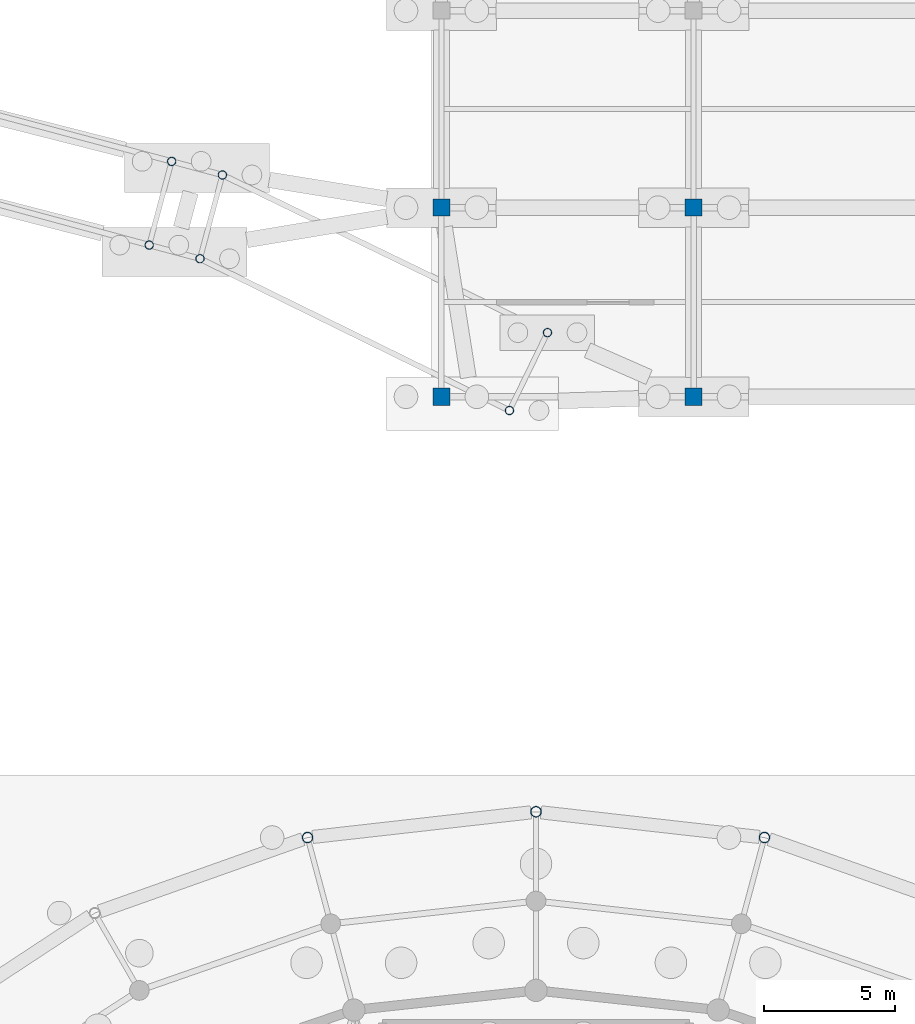
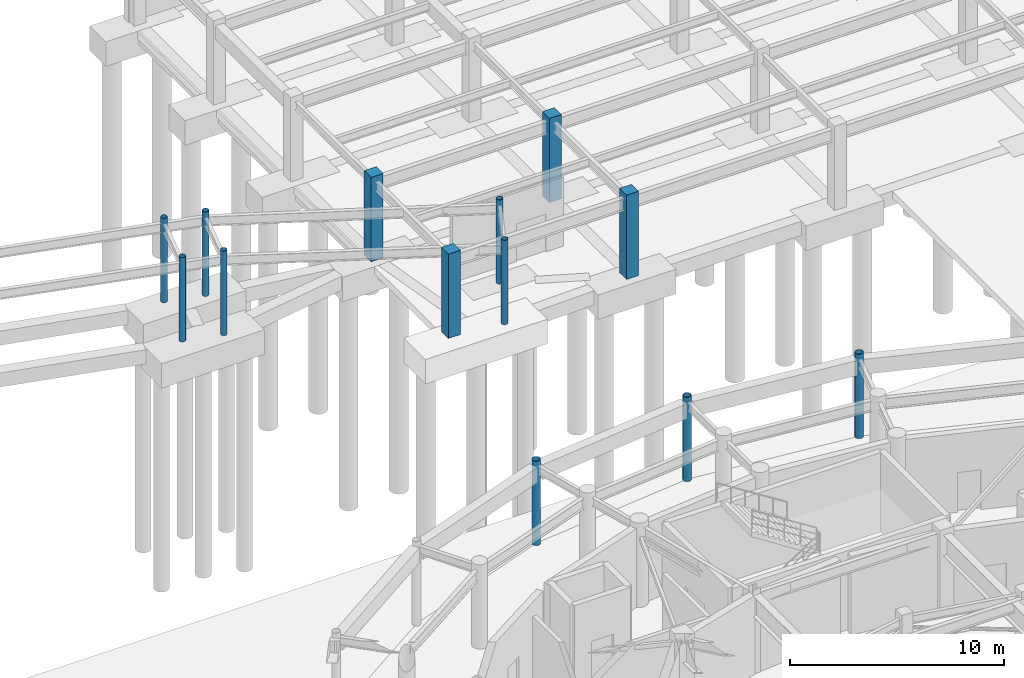
# One storey, part 21 of 68: 13 columns.
"""IFC4 building model written with IfcOpenShell, lengths in metres."""

from ifc_helpers import new_model, si_unit, direction, frame, origin, origin_2d, place, context, subcontext, project, spatial, rectangle, hollow_circle, extrude, material, material_profile, profile_set, type_object, element, save


model = new_model("IFC4")

# Units and contexts
model_context = context("Model", 3, precision=1e-05, world=origin(), true_north=direction((0.0, 1.0)))
body_context = subcontext(model_context, "Body", "Model", "MODEL_VIEW")
ifc_project = project(units=[si_unit("LENGTHUNIT", "METRE"), si_unit("AREAUNIT", "SQUARE_METRE"), si_unit("VOLUMEUNIT", "CUBIC_METRE"), si_unit("PLANEANGLEUNIT", "RADIAN"), si_unit("MASSUNIT", "GRAM", prefix="KILO")], contexts=[model_context])

# Site, building, storey
site_placement = place(None, origin())
site = spatial("IfcSite", under=ifc_project, at=site_placement, CompositionType="ELEMENT")
building_placement = place(site_placement, origin())
building = spatial("IfcBuilding", under=site, at=building_placement, Name="Cinderbank Siding Concert Hall", CompositionType="ELEMENT")
storey_placement = place(building_placement, frame((0.0, 0.0, -4.800048828125)))
storey = spatial("IfcBuildingStorey", under=building, at=storey_placement, Name="B1", CompositionType="ELEMENT", Elevation=-4.800048828125)

# Columns
ifc_material_1 = material(Name="Structural steel hollow section AS/NZS 1163 Grade C350L0 (350 MPa)", Category="steel")
ifc_material_profile_1 = material_profile(ifc_material_1, hollow_circle(Radius=0.161865234375, WallThickness=0.0126953125, at=origin_2d()), Name="323.9x12.7CHS", Category="LoadBearing")
ifc_profile_set_1 = profile_set([ifc_material_profile_1], Name="Structural steel hollow section AS/NZS 1163 Grade C350L0 (350 MPa)")
column_type_1 = type_object("IfcColumnType", Name="C-CHS323 323.9x12.7CHS", PredefinedType="COLUMN", material=ifc_profile_set_1)
for number, where, z_axis, x_axis, name in (
    (1, (108.1279296875, 97.56103515625, 0.0), (0.0, 0.0, 1.0), (1.0, 0.0, 0.0), "B1 Column COL-BRL-07"),
    (2, (107.27392578125, 94.3740234375, 0.0), (0.0, 0.0, 1.0), (1.0, 0.0, 0.0), "B1 Column COL-BRR-07"),
    (3, (110.06005859375, 97.0439453125, 0.0), (0.0, 0.0, 1.0), (1.0, 0.0, 0.0), "B1 Column COL-BRL-08"),
    (4, (109.2060546875, 93.85595703125, 0.0), (0.0, 0.0, 1.0), (1.0, 0.0, 0.0), "B1 Column COL-BRR-08"),
    (5, (122.43603515625, 91.041015625, 0.0), (0.0, 0.0, 1.0), (1.0, 0.0, 0.0), "B1 Column COL-BRL-09"),
    (6, (120.989013671875, 88.074951171875, 0.0), (0.0, 0.0, 1.0), (1.0, 0.0, 0.0), "B1 Column COL-BRR-09"),
):
    element("IfcColumn", number, at=place(storey_placement, frame(where, z_axis=z_axis, x_axis=x_axis)), inside=storey, type_object=column_type_1, Name=name, PredefinedType="COLUMN", context=body_context, shape_type="SweptSolid", body=[
        extrude(hollow_circle(Radius=0.161865234375, WallThickness=0.0126953125, at=origin_2d()), origin(), (0.0, 0.0, 1.0), 4.800048828125),
    ])
ifc_material_profile_2 = material_profile(ifc_material_1, hollow_circle(Radius=0.203125, WallThickness=0.01611328125, at=origin_2d()), Name="406.4x16.0CHS", Category="LoadBearing")
ifc_profile_set_2 = profile_set([ifc_material_profile_2], Name="Structural steel hollow section AS/NZS 1163 Grade C350L0 (350 MPa)")
column_type_2 = type_object("IfcColumnType", Name="C-CHS406 406.4x16.0CHS", PredefinedType="COLUMN", material=ifc_profile_set_2)
for number, where, z_axis, x_axis, name in (
    (7, (130.696044921875, 71.819091796875, 0.0), (0.0, 0.0, 1.0), (1.0, 0.0, 0.0), "B1 Column COL-E4-06"),
    (8, (122.0, 72.800048828125, 0.0), (0.0, 0.0, 1.0), (1.0, 0.0, 0.0), "B1 Column COL-E4-07"),
    (9, (113.303955078125, 71.819091796875, 0.0), (0.0, 0.0, 1.0), (1.0, 0.0, 0.0), "B1 Column COL-E4-08"),
):
    element("IfcColumn", number, at=place(storey_placement, frame(where, z_axis=z_axis, x_axis=x_axis)), inside=storey, type_object=column_type_2, Name=name, PredefinedType="COLUMN", context=body_context, shape_type="SweptSolid", body=[
        extrude(hollow_circle(Radius=0.203125, WallThickness=0.01611328125, at=origin_2d()), origin(), (0.0, 0.0, 1.0), 4.800048828125),
    ])
ifc_material_2 = material(Name="Reinforced concrete AS 3600 N50 (50 MPa)", Category="concrete")
ifc_material_profile_3 = material_profile(ifc_material_2, rectangle(XDim=0.64990234375, YDim=0.64990234375, at=origin_2d()), Name="RC-COL-650x650", Category="LoadBearing")
ifc_profile_set_3 = profile_set([ifc_material_profile_3], Name="Reinforced concrete AS 3600 N50 (50 MPa)")
column_type_3 = type_object("IfcColumnType", Name="C-RC650 RC-COL-650x650", PredefinedType="COLUMN", material=ifc_profile_set_3)
for number, where, z_axis, x_axis, name in (
    (10, (118.39990234375, 88.60009765625, 0.0), (0.0, 0.0, 1.0), (1.0, 0.0, 0.0), "B1 Column COL-V3-1-1"),
    (11, (118.39990234375, 95.800048828125, 0.0), (0.0, 0.0, 1.0), (1.0, 0.0, 0.0), "B1 Column COL-V3-1-2"),
    (12, (128.0, 88.60009765625, 0.0), (0.0, 0.0, 1.0), (1.0, 0.0, 0.0), "B1 Column COL-V3-2-1"),
    (13, (128.0, 95.800048828125, 0.0), (0.0, 0.0, 1.0), (1.0, 0.0, 0.0), "B1 Column COL-V3-2-2"),
):
    element("IfcColumn", number, at=place(storey_placement, frame(where, z_axis=z_axis, x_axis=x_axis)), inside=storey, type_object=column_type_3, Name=name, PredefinedType="COLUMN", context=body_context, shape_type="SweptSolid", body=[
        extrude(rectangle(XDim=0.64990234375, YDim=0.64990234375, at=origin_2d()), origin(), (0.0, 0.0, 1.0), 4.800048828125),
    ])

save(model, "model.ifc")
